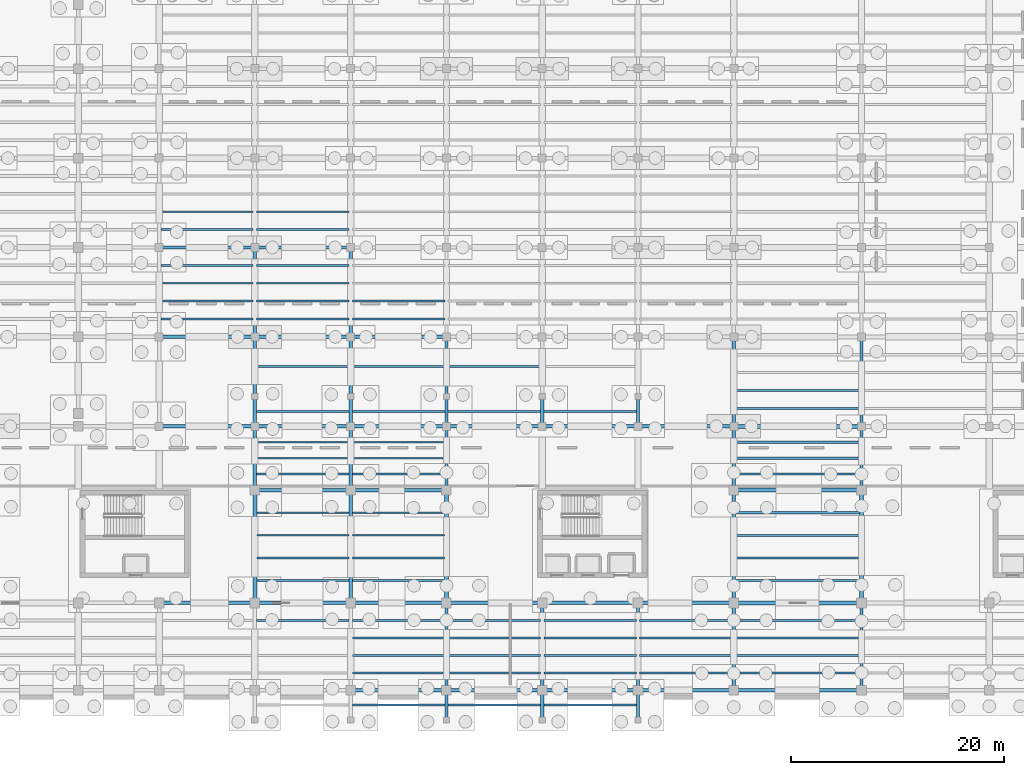
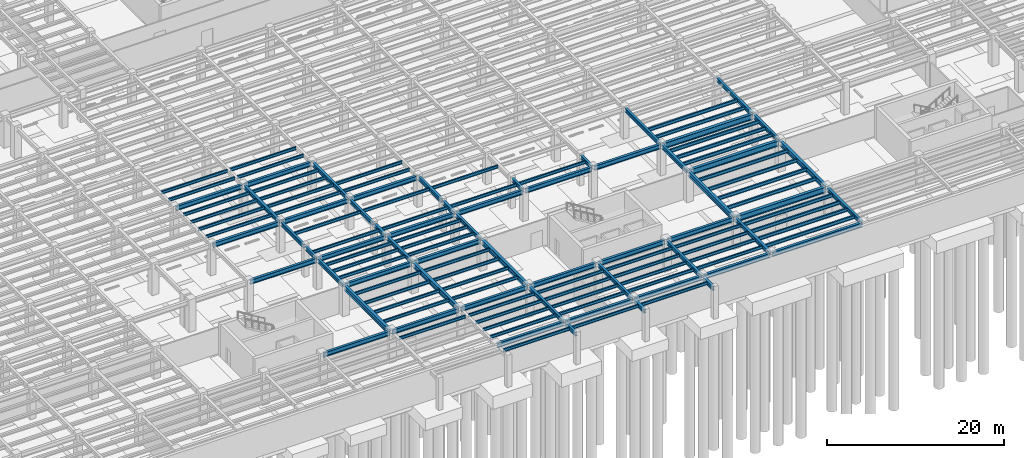
# One storey, part 21 of 49: 125 beams.
"""IFC4 building model written with IfcOpenShell, lengths in metres."""

from ifc_helpers import new_model, si_unit, direction, frame, origin, origin_2d, place, context, subcontext, project, spatial, i_section, extrude, material, material_profile, profile_set, type_object, element, save


model = new_model("IFC4")

# Units and contexts
model_context = context("Model", 3, precision=1e-05, world=origin(), true_north=direction((0.0, 1.0)))
body_context = subcontext(model_context, "Body", "Model", "MODEL_VIEW")
ifc_project = project(units=[si_unit("LENGTHUNIT", "METRE"), si_unit("AREAUNIT", "SQUARE_METRE"), si_unit("VOLUMEUNIT", "CUBIC_METRE"), si_unit("PLANEANGLEUNIT", "RADIAN"), si_unit("MASSUNIT", "GRAM", prefix="KILO")], contexts=[model_context])

# Site, building, storey
site_placement = place(None, origin())
site = spatial("IfcSite", under=ifc_project, at=site_placement, CompositionType="ELEMENT")
building_placement = place(site_placement, origin())
building = spatial("IfcBuilding", under=site, at=building_placement, Name="Sollismere Congress Hotel", CompositionType="ELEMENT")
storey_placement = place(building_placement, frame((0.0, 0.0, -4.5)))
storey = spatial("IfcBuildingStorey", under=building, at=storey_placement, Name="B1", CompositionType="ELEMENT", Elevation=-4.5)

# Beams
ifc_material = material(Name="Steel ASTM A992 Grade 50", Category="steel")
ifc_material_profile_1 = material_profile(ifc_material, i_section(OverallWidth=0.31494140625, OverallDepth=0.551025390625, WebThickness=0.01513671875, FlangeThickness=0.0244140625, at=origin_2d()), Name="W21X122")
ifc_profile_set_1 = profile_set([ifc_material_profile_1], Name="Steel ASTM A992 Grade 50")
beam_type_1 = type_object("IfcBeamType", Name="BM-G21H", PredefinedType="BEAM", material=ifc_profile_set_1)
beam_1_placement = place(storey_placement, frame((67.0, 18.93994140625, 3.924560546875), z_axis=(0.0, 1.0, 0.0), x_axis=(-1.0, 0.0, 0.0)))
element("IfcBeam", 1, at=beam_1_placement, inside=storey, type_object=beam_type_1, Name="Beam BM-B1-0333", PredefinedType="BEAM", context=body_context, shape_type="SweptSolid", body=[
    extrude(i_section(OverallWidth=0.31494140625, OverallDepth=0.551025390625, WebThickness=0.01513671875, FlangeThickness=0.0244140625, at=origin_2d()), origin(), (0.0, 0.0, 1.0), 5.719970703125),
])
beam_2_placement = place(storey_placement, frame((67.0, 24.93994140625, 3.924560546875), z_axis=(0.0, 1.0, 0.0), x_axis=(-1.0, 0.0, 0.0)))
element("IfcBeam", 2, at=beam_2_placement, inside=storey, type_object=beam_type_1, Name="Beam BM-B1-0334", PredefinedType="BEAM", context=body_context, shape_type="SweptSolid", body=[
    extrude(i_section(OverallWidth=0.31494140625, OverallDepth=0.551025390625, WebThickness=0.01513671875, FlangeThickness=0.0244140625, at=origin_2d()), origin(), (0.0, 0.0, 1.0), 2.52001953125),
])
beam_3_placement = place(storey_placement, frame((67.0, 27.739990234375, 3.924560546875), z_axis=(0.0, 1.0, 0.0), x_axis=(-1.0, 0.0, 0.0)))
element("IfcBeam", 3, at=beam_3_placement, inside=storey, type_object=beam_type_1, Name="Beam BM-B1-0335", PredefinedType="BEAM", context=body_context, shape_type="SweptSolid", body=[
    extrude(i_section(OverallWidth=0.31494140625, OverallDepth=0.551025390625, WebThickness=0.01513671875, FlangeThickness=0.0244140625, at=origin_2d()), origin(), (0.0, 0.0, 1.0), 5.320068359375),
])
beam_4_placement = place(storey_placement, frame((67.0, 33.340087890625, 3.924560546875), z_axis=(0.0, 1.0, 0.0), x_axis=(-1.0, 0.0, 0.0)))
element("IfcBeam", 4, at=beam_4_placement, inside=storey, type_object=beam_type_1, Name="Beam BM-B1-0336", PredefinedType="BEAM", context=body_context, shape_type="SweptSolid", body=[
    extrude(i_section(OverallWidth=0.31494140625, OverallDepth=0.551025390625, WebThickness=0.01513671875, FlangeThickness=0.0244140625, at=origin_2d()), origin(), (0.0, 0.0, 1.0), 8.119873046875),
])
beam_5_placement = place(storey_placement, frame((76.0, 18.93994140625, 3.924560546875), z_axis=(0.0, 1.0, 0.0), x_axis=(-1.0, 0.0, 0.0)))
element("IfcBeam", 5, at=beam_5_placement, inside=storey, type_object=beam_type_1, Name="Beam BM-B1-0348", PredefinedType="BEAM", context=body_context, shape_type="SweptSolid", body=[
    extrude(i_section(OverallWidth=0.31494140625, OverallDepth=0.551025390625, WebThickness=0.01513671875, FlangeThickness=0.0244140625, at=origin_2d()), origin(), (0.0, 0.0, 1.0), 5.719970703125),
])
beam_6_placement = place(storey_placement, frame((76.0, 24.93994140625, 3.924560546875), z_axis=(0.0, 1.0, 0.0), x_axis=(-1.0, 0.0, 0.0)))
element("IfcBeam", 6, at=beam_6_placement, inside=storey, type_object=beam_type_1, Name="Beam BM-B1-0349", PredefinedType="BEAM", context=body_context, shape_type="SweptSolid", body=[
    extrude(i_section(OverallWidth=0.31494140625, OverallDepth=0.551025390625, WebThickness=0.01513671875, FlangeThickness=0.0244140625, at=origin_2d()), origin(), (0.0, 0.0, 1.0), 2.52001953125),
])
beam_7_placement = place(storey_placement, frame((76.0, 27.739990234375, 3.924560546875), z_axis=(0.0, 1.0, 0.0), x_axis=(-1.0, 0.0, 0.0)))
element("IfcBeam", 7, at=beam_7_placement, inside=storey, type_object=beam_type_1, Name="Beam BM-B1-0350", PredefinedType="BEAM", context=body_context, shape_type="SweptSolid", body=[
    extrude(i_section(OverallWidth=0.31494140625, OverallDepth=0.551025390625, WebThickness=0.01513671875, FlangeThickness=0.0244140625, at=origin_2d()), origin(), (0.0, 0.0, 1.0), 5.320068359375),
])
beam_8_placement = place(storey_placement, frame((76.0, 33.340087890625, 3.924560546875), z_axis=(0.0, 1.0, 0.0), x_axis=(-1.0, 0.0, 0.0)))
element("IfcBeam", 8, at=beam_8_placement, inside=storey, type_object=beam_type_1, Name="Beam BM-B1-0351", PredefinedType="BEAM", context=body_context, shape_type="SweptSolid", body=[
    extrude(i_section(OverallWidth=0.31494140625, OverallDepth=0.551025390625, WebThickness=0.01513671875, FlangeThickness=0.0244140625, at=origin_2d()), origin(), (0.0, 0.0, 1.0), 8.119873046875),
])
beam_9_placement = place(storey_placement, frame((85.0, -2.659912109375, 3.924560546875), z_axis=(0.0, 1.0, 0.0), x_axis=(-1.0, 0.0, 0.0)))
element("IfcBeam", 9, at=beam_9_placement, inside=storey, type_object=beam_type_1, Name="Beam BM-B1-0357", PredefinedType="BEAM", context=body_context, shape_type="SweptSolid", body=[
    extrude(i_section(OverallWidth=0.31494140625, OverallDepth=0.551025390625, WebThickness=0.01513671875, FlangeThickness=0.0244140625, at=origin_2d()), origin(), (0.0, 0.0, 1.0), 2.52001953125),
])
beam_10_placement = place(storey_placement, frame((85.0, 0.139892578125, 3.924560546875), z_axis=(0.0, 1.0, 0.0), x_axis=(-1.0, 0.0, 0.0)))
element("IfcBeam", 10, at=beam_10_placement, inside=storey, type_object=beam_type_1, Name="Beam BM-B1-0358", PredefinedType="BEAM", context=body_context, shape_type="SweptSolid", body=[
    extrude(i_section(OverallWidth=0.31494140625, OverallDepth=0.551025390625, WebThickness=0.01513671875, FlangeThickness=0.0244140625, at=origin_2d()), origin(), (0.0, 0.0, 1.0), 7.920166015625),
])
beam_11_placement = place(storey_placement, frame((85.0, 18.93994140625, 3.924560546875), z_axis=(0.0, 1.0, 0.0), x_axis=(-1.0, 0.0, 0.0)))
element("IfcBeam", 11, at=beam_11_placement, inside=storey, type_object=beam_type_1, Name="Beam BM-B1-0360", PredefinedType="BEAM", context=body_context, shape_type="SweptSolid", body=[
    extrude(i_section(OverallWidth=0.31494140625, OverallDepth=0.551025390625, WebThickness=0.01513671875, FlangeThickness=0.0244140625, at=origin_2d()), origin(), (0.0, 0.0, 1.0), 5.719970703125),
])
beam_12_placement = place(storey_placement, frame((85.0, 24.93994140625, 3.924560546875), z_axis=(0.0, 1.0, 0.0), x_axis=(-1.0, 0.0, 0.0)))
element("IfcBeam", 12, at=beam_12_placement, inside=storey, type_object=beam_type_1, Name="Beam BM-B1-0361", PredefinedType="BEAM", context=body_context, shape_type="SweptSolid", body=[
    extrude(i_section(OverallWidth=0.31494140625, OverallDepth=0.551025390625, WebThickness=0.01513671875, FlangeThickness=0.0244140625, at=origin_2d()), origin(), (0.0, 0.0, 1.0), 2.52001953125),
])
beam_13_placement = place(storey_placement, frame((85.0, 27.739990234375, 3.924560546875), z_axis=(0.0, 1.0, 0.0), x_axis=(-1.0, 0.0, 0.0)))
element("IfcBeam", 13, at=beam_13_placement, inside=storey, type_object=beam_type_1, Name="Beam BM-B1-0362", PredefinedType="BEAM", context=body_context, shape_type="SweptSolid", body=[
    extrude(i_section(OverallWidth=0.31494140625, OverallDepth=0.551025390625, WebThickness=0.01513671875, FlangeThickness=0.0244140625, at=origin_2d()), origin(), (0.0, 0.0, 1.0), 5.320068359375),
])
beam_14_placement = place(storey_placement, frame((94.0, -2.659912109375, 3.924560546875), z_axis=(0.0, 1.0, 0.0), x_axis=(-1.0, 0.0, 0.0)))
element("IfcBeam", 14, at=beam_14_placement, inside=storey, type_object=beam_type_1, Name="Beam BM-B1-0369", PredefinedType="BEAM", context=body_context, shape_type="SweptSolid", body=[
    extrude(i_section(OverallWidth=0.31494140625, OverallDepth=0.551025390625, WebThickness=0.01513671875, FlangeThickness=0.0244140625, at=origin_2d()), origin(), (0.0, 0.0, 1.0), 2.52001953125),
])
beam_15_placement = place(storey_placement, frame((94.0, 0.139892578125, 3.924560546875), z_axis=(0.0, 1.0, 0.0), x_axis=(-1.0, 0.0, 0.0)))
element("IfcBeam", 15, at=beam_15_placement, inside=storey, type_object=beam_type_1, Name="Beam BM-B1-0370", PredefinedType="BEAM", context=body_context, shape_type="SweptSolid", body=[
    extrude(i_section(OverallWidth=0.31494140625, OverallDepth=0.551025390625, WebThickness=0.01513671875, FlangeThickness=0.0244140625, at=origin_2d()), origin(), (0.0, 0.0, 1.0), 7.920166015625),
])
for number, where, z_axis, x_axis, name in (
    (16, (94.0, 24.93994140625, 3.924560546875), (0.0, 1.0, 0.0), (-1.0, 0.0, 0.0), "Beam BM-B1-0371"),
    (17, (103.0, -2.659912109375, 3.924560546875), (0.0, 1.0, 0.0), (-1.0, 0.0, 0.0), "Beam BM-B1-0382"),
):
    element("IfcBeam", number, at=place(storey_placement, frame(where, z_axis=z_axis, x_axis=x_axis)), inside=storey, type_object=beam_type_1, Name=name, PredefinedType="BEAM", context=body_context, shape_type="SweptSolid", body=[
        extrude(i_section(OverallWidth=0.31494140625, OverallDepth=0.551025390625, WebThickness=0.01513671875, FlangeThickness=0.0244140625, at=origin_2d()), origin(), (0.0, 0.0, 1.0), 2.52001953125),
    ])
beam_16_placement = place(storey_placement, frame((103.0, 0.139892578125, 3.924560546875), z_axis=(0.0, 1.0, 0.0), x_axis=(-1.0, 0.0, 0.0)))
element("IfcBeam", 18, at=beam_16_placement, inside=storey, type_object=beam_type_1, Name="Beam BM-B1-0383", PredefinedType="BEAM", context=body_context, shape_type="SweptSolid", body=[
    extrude(i_section(OverallWidth=0.31494140625, OverallDepth=0.551025390625, WebThickness=0.01513671875, FlangeThickness=0.0244140625, at=origin_2d()), origin(), (0.0, 0.0, 1.0), 7.920166015625),
])
beam_17_placement = place(storey_placement, frame((103.0, 24.93994140625, 3.924560546875), z_axis=(0.0, 1.0, 0.0), x_axis=(-1.0, 0.0, 0.0)))
element("IfcBeam", 19, at=beam_17_placement, inside=storey, type_object=beam_type_1, Name="Beam BM-B1-0384", PredefinedType="BEAM", context=body_context, shape_type="SweptSolid", body=[
    extrude(i_section(OverallWidth=0.31494140625, OverallDepth=0.551025390625, WebThickness=0.01513671875, FlangeThickness=0.0244140625, at=origin_2d()), origin(), (0.0, 0.0, 1.0), 2.52001953125),
])
beam_18_placement = place(storey_placement, frame((112.0, 0.139892578125, 3.924560546875), z_axis=(0.0, 1.0, 0.0), x_axis=(-1.0, 0.0, 0.0)))
element("IfcBeam", 20, at=beam_18_placement, inside=storey, type_object=beam_type_1, Name="Beam BM-B1-0395", PredefinedType="BEAM", context=body_context, shape_type="SweptSolid", body=[
    extrude(i_section(OverallWidth=0.31494140625, OverallDepth=0.551025390625, WebThickness=0.01513671875, FlangeThickness=0.0244140625, at=origin_2d()), origin(), (0.0, 0.0, 1.0), 7.920166015625),
])
beam_19_placement = place(storey_placement, frame((112.0, 18.93994140625, 3.924560546875), z_axis=(0.0, 1.0, 0.0), x_axis=(-1.0, 0.0, 0.0)))
element("IfcBeam", 21, at=beam_19_placement, inside=storey, type_object=beam_type_1, Name="Beam BM-B1-0397", PredefinedType="BEAM", context=body_context, shape_type="SweptSolid", body=[
    extrude(i_section(OverallWidth=0.31494140625, OverallDepth=0.551025390625, WebThickness=0.01513671875, FlangeThickness=0.0244140625, at=origin_2d()), origin(), (0.0, 0.0, 1.0), 5.719970703125),
])
beam_20_placement = place(storey_placement, frame((112.0, 24.93994140625, 3.924560546875), z_axis=(0.0, 1.0, 0.0), x_axis=(-1.0, 0.0, 0.0)))
element("IfcBeam", 22, at=beam_20_placement, inside=storey, type_object=beam_type_1, Name="Beam BM-B1-0398", PredefinedType="BEAM", context=body_context, shape_type="SweptSolid", body=[
    extrude(i_section(OverallWidth=0.31494140625, OverallDepth=0.551025390625, WebThickness=0.01513671875, FlangeThickness=0.0244140625, at=origin_2d()), origin(), (0.0, 0.0, 1.0), 8.1201171875),
])
beam_21_placement = place(storey_placement, frame((124.0, 0.139892578125, 3.924560546875), z_axis=(0.0, 1.0, 0.0), x_axis=(-1.0, 0.0, 0.0)))
element("IfcBeam", 23, at=beam_21_placement, inside=storey, type_object=beam_type_1, Name="Beam BM-B1-0408", PredefinedType="BEAM", context=body_context, shape_type="SweptSolid", body=[
    extrude(i_section(OverallWidth=0.31494140625, OverallDepth=0.551025390625, WebThickness=0.01513671875, FlangeThickness=0.0244140625, at=origin_2d()), origin(), (0.0, 0.0, 1.0), 7.920166015625),
])
beam_22_placement = place(storey_placement, frame((124.0, 18.93994140625, 3.924560546875), z_axis=(0.0, 1.0, 0.0), x_axis=(-1.0, 0.0, 0.0)))
element("IfcBeam", 24, at=beam_22_placement, inside=storey, type_object=beam_type_1, Name="Beam BM-B1-0410", PredefinedType="BEAM", context=body_context, shape_type="SweptSolid", body=[
    extrude(i_section(OverallWidth=0.31494140625, OverallDepth=0.551025390625, WebThickness=0.01513671875, FlangeThickness=0.0244140625, at=origin_2d()), origin(), (0.0, 0.0, 1.0), 5.719970703125),
])
beam_23_placement = place(storey_placement, frame((124.0, 24.93994140625, 3.924560546875), z_axis=(0.0, 1.0, 0.0), x_axis=(-1.0, 0.0, 0.0)))
element("IfcBeam", 25, at=beam_23_placement, inside=storey, type_object=beam_type_1, Name="Beam BM-B1-0411", PredefinedType="BEAM", context=body_context, shape_type="SweptSolid", body=[
    extrude(i_section(OverallWidth=0.31494140625, OverallDepth=0.551025390625, WebThickness=0.01513671875, FlangeThickness=0.0244140625, at=origin_2d()), origin(), (0.0, 0.0, 1.0), 8.1201171875),
])
ifc_material_profile_2 = material_profile(ifc_material, i_section(OverallWidth=0.324951171875, OverallDepth=0.612060546875, WebThickness=0.0126953125, FlangeThickness=0.01904296875, at=origin_2d()), Name="W24X104")
ifc_profile_set_2 = profile_set([ifc_material_profile_2], Name="Steel ASTM A992 Grade 50")
beam_type_2 = type_object("IfcBeamType", Name="BM-G24", PredefinedType="BEAM", material=ifc_profile_set_2)
for number, where, z_axis, x_axis, name in (
    (26, (58.139892578125, 8.199951171875, 3.89404296875), (1.0, 0.0, 0.0), (0.0, 1.0, 0.0), "Beam BM-B1-0026"),
    (27, (67.139892578125, 8.199951171875, 3.89404296875), (1.0, 0.0, 0.0), (0.0, 1.0, 0.0), "Beam BM-B1-0027"),
    (28, (76.139892578125, 8.199951171875, 3.89404296875), (1.0, 0.0, 0.0), (0.0, 1.0, 0.0), "Beam BM-B1-0028"),
    (29, (85.139892578125, 8.199951171875, 3.89404296875), (1.0, 0.0, 0.0), (0.0, 1.0, 0.0), "Beam BM-B1-0029"),
    (30, (94.139892578125, 8.199951171875, 3.89404296875), (1.0, 0.0, 0.0), (0.0, 1.0, 0.0), "Beam BM-B1-0030"),
    (31, (103.139892578125, 8.199951171875, 3.89404296875), (1.0, 0.0, 0.0), (0.0, 1.0, 0.0), "Beam BM-B1-0031"),
    (32, (67.139892578125, 18.800048828125, 3.89404296875), (1.0, 0.0, 0.0), (0.0, 1.0, 0.0), "Beam BM-B1-0042"),
    (33, (76.139892578125, 18.800048828125, 3.89404296875), (1.0, 0.0, 0.0), (0.0, 1.0, 0.0), "Beam BM-B1-0043"),
    (34, (58.139892578125, 24.800048828125, 3.89404296875), (1.0, 0.0, 0.0), (0.0, 1.0, 0.0), "Beam BM-B1-0053"),
    (35, (67.139892578125, 24.800048828125, 3.89404296875), (1.0, 0.0, 0.0), (0.0, 1.0, 0.0), "Beam BM-B1-0054"),
    (36, (76.139892578125, 24.800048828125, 3.89404296875), (1.0, 0.0, 0.0), (0.0, 1.0, 0.0), "Beam BM-B1-0055"),
    (37, (85.139892578125, 24.800048828125, 3.89404296875), (1.0, 0.0, 0.0), (0.0, 1.0, 0.0), "Beam BM-B1-0056"),
    (38, (94.139892578125, 24.800048828125, 3.89404296875), (1.0, 0.0, 0.0), (0.0, 1.0, 0.0), "Beam BM-B1-0057"),
    (39, (103.139892578125, 24.800048828125, 3.89404296875), (1.0, 0.0, 0.0), (0.0, 1.0, 0.0), "Beam BM-B1-0058"),
    (40, (58.139892578125, 33.199951171875, 3.89404296875), (1.0, 0.0, 0.0), (0.0, 1.0, 0.0), "Beam BM-B1-0071"),
    (41, (67.139892578125, 33.199951171875, 3.89404296875), (1.0, 0.0, 0.0), (0.0, 1.0, 0.0), "Beam BM-B1-0072"),
    (42, (76.139892578125, 33.199951171875, 3.89404296875), (1.0, 0.0, 0.0), (0.0, 1.0, 0.0), "Beam BM-B1-0073"),
    (43, (58.139892578125, 41.60009765625, 3.89404296875), (1.0, 0.0, 0.0), (0.0, 1.0, 0.0), "Beam BM-B1-0089"),
    (44, (67.139892578125, 41.60009765625, 3.89404296875), (1.0, 0.0, 0.0), (0.0, 1.0, 0.0), "Beam BM-B1-0090"),
):
    element("IfcBeam", number, at=place(storey_placement, frame(where, z_axis=z_axis, x_axis=x_axis)), inside=storey, type_object=beam_type_2, Name=name, PredefinedType="BEAM", context=body_context, shape_type="SweptSolid", body=[
        extrude(i_section(OverallWidth=0.324951171875, OverallDepth=0.612060546875, WebThickness=0.0126953125, FlangeThickness=0.01904296875, at=origin_2d()), origin(), (0.0, 0.0, 1.0), 8.72021484375),
    ])
ifc_material_profile_3 = material_profile(ifc_material, i_section(OverallWidth=0.35595703125, OverallDepth=0.696044921875, WebThickness=0.015380859375, FlangeThickness=0.025146484375, at=origin_2d()), Name="W27X146")
ifc_profile_set_3 = profile_set([ifc_material_profile_3], Name="Steel ASTM A992 Grade 50")
beam_type_3 = type_object("IfcBeamType", Name="BM-G27", PredefinedType="BEAM", material=ifc_profile_set_3)
for number, where, z_axis, x_axis, name in (
    (45, (67.0, 8.340087890625, 3.85205078125), (0.0, 1.0, 0.0), (-1.0, 0.0, 0.0), "Beam BM-B1-0332"),
    (46, (76.0, 8.340087890625, 3.85205078125), (0.0, 1.0, 0.0), (-1.0, 0.0, 0.0), "Beam BM-B1-0347"),
    (47, (85.0, 8.340087890625, 3.85205078125), (0.0, 1.0, 0.0), (-1.0, 0.0, 0.0), "Beam BM-B1-0359"),
    (48, (112.0, 8.340087890625, 3.85205078125), (0.0, 1.0, 0.0), (-1.0, 0.0, 0.0), "Beam BM-B1-0396"),
    (49, (124.0, 8.340087890625, 3.85205078125), (0.0, 1.0, 0.0), (-1.0, 0.0, 0.0), "Beam BM-B1-0409"),
):
    element("IfcBeam", number, at=place(storey_placement, frame(where, z_axis=z_axis, x_axis=x_axis)), inside=storey, type_object=beam_type_3, Name=name, PredefinedType="BEAM", context=body_context, shape_type="SweptSolid", body=[
        extrude(i_section(OverallWidth=0.35595703125, OverallDepth=0.696044921875, WebThickness=0.015380859375, FlangeThickness=0.025146484375, at=origin_2d()), origin(), (0.0, 0.0, 1.0), 10.31982421875),
    ])
ifc_material_profile_4 = material_profile(ifc_material, i_section(OverallWidth=0.384033203125, OverallDepth=0.787109375, WebThickness=0.019775390625, FlangeThickness=0.033447265625, at=origin_2d()), Name="W30X211")
ifc_profile_set_4 = profile_set([ifc_material_profile_4], Name="Steel ASTM A992 Grade 50")
beam_type_4 = type_object("IfcBeamType", Name="BM-G30", PredefinedType="BEAM", material=ifc_profile_set_4)
for number, where, z_axis, x_axis, name in (
    (50, (112.139892578125, 8.199951171875, 3.806396484375), (1.0, 0.0, 0.0), (0.0, 1.0, 0.0), "Beam BM-B1-0032"),
    (51, (112.139892578125, 18.800048828125, 3.806396484375), (1.0, 0.0, 0.0), (0.0, 1.0, 0.0), "Beam BM-B1-0044"),
    (52, (112.139892578125, 24.800048828125, 3.806396484375), (1.0, 0.0, 0.0), (0.0, 1.0, 0.0), "Beam BM-B1-0059"),
):
    element("IfcBeam", number, at=place(storey_placement, frame(where, z_axis=z_axis, x_axis=x_axis)), inside=storey, type_object=beam_type_4, Name=name, PredefinedType="BEAM", context=body_context, shape_type="SweptSolid", body=[
        extrude(i_section(OverallWidth=0.384033203125, OverallDepth=0.787109375, WebThickness=0.019775390625, FlangeThickness=0.033447265625, at=origin_2d()), origin(), (0.0, 0.0, 1.0), 11.72021484375),
    ])
ifc_material_profile_5 = material_profile(ifc_material, i_section(OverallWidth=0.180908203125, OverallDepth=0.4169921875, WebThickness=0.010986328125, FlangeThickness=0.018310546875, at=origin_2d()), Name="W16X57")
ifc_profile_set_5 = profile_set([ifc_material_profile_5], Name="Steel ASTM A992 Grade 50")
beam_type_5 = type_object("IfcBeamType", Name="BM-J16", PredefinedType="JOIST", material=ifc_profile_set_5)
for number, where, z_axis, x_axis, name in (
    (53, (58.157470703125, 34.8798828125, 3.991455078125), (1.0, 0.0, 0.0), (0.0, 1.0, 0.0), "Beam BM-B1-0715"),
    (54, (58.157470703125, 36.56005859375, 3.991455078125), (1.0, 0.0, 0.0), (0.0, 1.0, 0.0), "Beam BM-B1-0716"),
    (55, (58.157470703125, 38.239990234375, 3.991455078125), (1.0, 0.0, 0.0), (0.0, 1.0, 0.0), "Beam BM-B1-0717"),
    (56, (58.157470703125, 39.919921875, 3.991455078125), (1.0, 0.0, 0.0), (0.0, 1.0, 0.0), "Beam BM-B1-0718"),
    (57, (58.157470703125, 43.280029296875, 3.991455078125), (1.0, 0.0, 0.0), (0.0, 1.0, 0.0), "Beam BM-B1-0719"),
    (58, (58.157470703125, 44.9599609375, 3.991455078125), (1.0, 0.0, 0.0), (0.0, 1.0, 0.0), "Beam BM-B1-0720"),
    (59, (67.157470703125, 6.56005859375, 3.991455078125), (1.0, 0.0, 0.0), (0.0, 1.0, 0.0), "Beam BM-B1-0766"),
):
    element("IfcBeam", number, at=place(storey_placement, frame(where, z_axis=z_axis, x_axis=x_axis)), inside=storey, type_object=beam_type_5, Name=name, PredefinedType="JOIST", context=body_context, shape_type="SweptSolid", body=[
        extrude(i_section(OverallWidth=0.180908203125, OverallDepth=0.4169921875, WebThickness=0.010986328125, FlangeThickness=0.018310546875, at=origin_2d()), origin(), (0.0, 0.0, 1.0), 8.68505859375),
    ])
for number, where, z_axis, x_axis, name in (
    (60, (67.177978515625, 10.320068359375, 3.991455078125), (1.0, 0.0, 0.0), (0.0, 1.0, 0.0), "Beam BM-B1-0767"),
    (61, (67.177978515625, 12.43994140625, 3.991455078125), (1.0, 0.0, 0.0), (0.0, 1.0, 0.0), "Beam BM-B1-0768"),
    (62, (67.177978515625, 14.56005859375, 3.991455078125), (1.0, 0.0, 0.0), (0.0, 1.0, 0.0), "Beam BM-B1-0769"),
    (63, (67.177978515625, 16.679931640625, 3.991455078125), (1.0, 0.0, 0.0), (0.0, 1.0, 0.0), "Beam BM-B1-0770"),
):
    element("IfcBeam", number, at=place(storey_placement, frame(where, z_axis=z_axis, x_axis=x_axis)), inside=storey, type_object=beam_type_5, Name=name, PredefinedType="JOIST", context=body_context, shape_type="SweptSolid", body=[
        extrude(i_section(OverallWidth=0.180908203125, OverallDepth=0.4169921875, WebThickness=0.010986328125, FlangeThickness=0.018310546875, at=origin_2d()), origin(), (0.0, 0.0, 1.0), 8.64404296875),
    ])
for number, where, z_axis, x_axis, name in (
    (64, (67.157470703125, 20.300048828125, 3.991455078125), (1.0, 0.0, 0.0), (0.0, 1.0, 0.0), "Beam BM-B1-0771"),
    (65, (67.157470703125, 21.800048828125, 3.991455078125), (1.0, 0.0, 0.0), (0.0, 1.0, 0.0), "Beam BM-B1-0772"),
    (66, (67.157470703125, 23.300048828125, 3.991455078125), (1.0, 0.0, 0.0), (0.0, 1.0, 0.0), "Beam BM-B1-0773"),
    (67, (67.157470703125, 26.199951171875, 3.991455078125), (1.0, 0.0, 0.0), (0.0, 1.0, 0.0), "Beam BM-B1-0774"),
    (68, (67.157470703125, 30.39990234375, 3.991455078125), (1.0, 0.0, 0.0), (0.0, 1.0, 0.0), "Beam BM-B1-0775"),
    (69, (67.157470703125, 34.8798828125, 3.991455078125), (1.0, 0.0, 0.0), (0.0, 1.0, 0.0), "Beam BM-B1-0776"),
    (70, (67.157470703125, 36.56005859375, 3.991455078125), (1.0, 0.0, 0.0), (0.0, 1.0, 0.0), "Beam BM-B1-0777"),
    (71, (67.157470703125, 38.239990234375, 3.991455078125), (1.0, 0.0, 0.0), (0.0, 1.0, 0.0), "Beam BM-B1-0778"),
    (72, (67.157470703125, 39.919921875, 3.991455078125), (1.0, 0.0, 0.0), (0.0, 1.0, 0.0), "Beam BM-B1-0779"),
    (73, (67.157470703125, 43.280029296875, 3.991455078125), (1.0, 0.0, 0.0), (0.0, 1.0, 0.0), "Beam BM-B1-0780"),
    (74, (67.157470703125, 44.9599609375, 3.991455078125), (1.0, 0.0, 0.0), (0.0, 1.0, 0.0), "Beam BM-B1-0781"),
    (75, (76.157470703125, -1.39990234375, 3.991455078125), (1.0, 0.0, 0.0), (0.0, 1.0, 0.0), "Beam BM-B1-0799"),
    (76, (76.157470703125, 1.639892578125, 3.991455078125), (1.0, 0.0, 0.0), (0.0, 1.0, 0.0), "Beam BM-B1-0800"),
    (77, (76.157470703125, 3.280029296875, 3.991455078125), (1.0, 0.0, 0.0), (0.0, 1.0, 0.0), "Beam BM-B1-0801"),
    (78, (76.157470703125, 4.919921875, 3.991455078125), (1.0, 0.0, 0.0), (0.0, 1.0, 0.0), "Beam BM-B1-0802"),
    (79, (76.157470703125, 6.56005859375, 3.991455078125), (1.0, 0.0, 0.0), (0.0, 1.0, 0.0), "Beam BM-B1-0803"),
):
    element("IfcBeam", number, at=place(storey_placement, frame(where, z_axis=z_axis, x_axis=x_axis)), inside=storey, type_object=beam_type_5, Name=name, PredefinedType="JOIST", context=body_context, shape_type="SweptSolid", body=[
        extrude(i_section(OverallWidth=0.180908203125, OverallDepth=0.4169921875, WebThickness=0.010986328125, FlangeThickness=0.018310546875, at=origin_2d()), origin(), (0.0, 0.0, 1.0), 8.68505859375),
    ])
for number, where, z_axis, x_axis, name in (
    (80, (76.177978515625, 10.320068359375, 3.991455078125), (1.0, 0.0, 0.0), (0.0, 1.0, 0.0), "Beam BM-B1-0804"),
    (81, (76.177978515625, 12.43994140625, 3.991455078125), (1.0, 0.0, 0.0), (0.0, 1.0, 0.0), "Beam BM-B1-0805"),
    (82, (76.177978515625, 14.56005859375, 3.991455078125), (1.0, 0.0, 0.0), (0.0, 1.0, 0.0), "Beam BM-B1-0806"),
    (83, (76.177978515625, 16.679931640625, 3.991455078125), (1.0, 0.0, 0.0), (0.0, 1.0, 0.0), "Beam BM-B1-0807"),
):
    element("IfcBeam", number, at=place(storey_placement, frame(where, z_axis=z_axis, x_axis=x_axis)), inside=storey, type_object=beam_type_5, Name=name, PredefinedType="JOIST", context=body_context, shape_type="SweptSolid", body=[
        extrude(i_section(OverallWidth=0.180908203125, OverallDepth=0.4169921875, WebThickness=0.010986328125, FlangeThickness=0.018310546875, at=origin_2d()), origin(), (0.0, 0.0, 1.0), 8.64404296875),
    ])
for number, where, z_axis, x_axis, name in (
    (84, (76.157470703125, 20.300048828125, 3.991455078125), (1.0, 0.0, 0.0), (0.0, 1.0, 0.0), "Beam BM-B1-0808"),
    (85, (76.157470703125, 21.800048828125, 3.991455078125), (1.0, 0.0, 0.0), (0.0, 1.0, 0.0), "Beam BM-B1-0809"),
    (86, (76.157470703125, 23.300048828125, 3.991455078125), (1.0, 0.0, 0.0), (0.0, 1.0, 0.0), "Beam BM-B1-0810"),
    (87, (76.157470703125, 26.199951171875, 3.991455078125), (1.0, 0.0, 0.0), (0.0, 1.0, 0.0), "Beam BM-B1-0811"),
    (88, (76.157470703125, 30.39990234375, 3.991455078125), (1.0, 0.0, 0.0), (0.0, 1.0, 0.0), "Beam BM-B1-0812"),
    (89, (76.157470703125, 34.8798828125, 3.991455078125), (1.0, 0.0, 0.0), (0.0, 1.0, 0.0), "Beam BM-B1-0813"),
    (90, (76.157470703125, 36.56005859375, 3.991455078125), (1.0, 0.0, 0.0), (0.0, 1.0, 0.0), "Beam BM-B1-0814"),
    (91, (85.157470703125, -1.39990234375, 3.991455078125), (1.0, 0.0, 0.0), (0.0, 1.0, 0.0), "Beam BM-B1-0836"),
    (92, (85.157470703125, 1.639892578125, 3.991455078125), (1.0, 0.0, 0.0), (0.0, 1.0, 0.0), "Beam BM-B1-0837"),
    (93, (85.157470703125, 3.280029296875, 3.991455078125), (1.0, 0.0, 0.0), (0.0, 1.0, 0.0), "Beam BM-B1-0838"),
    (94, (85.157470703125, 4.919921875, 3.991455078125), (1.0, 0.0, 0.0), (0.0, 1.0, 0.0), "Beam BM-B1-0839"),
    (95, (85.157470703125, 6.56005859375, 3.991455078125), (1.0, 0.0, 0.0), (0.0, 1.0, 0.0), "Beam BM-B1-0840"),
    (96, (85.157470703125, 26.199951171875, 3.991455078125), (1.0, 0.0, 0.0), (0.0, 1.0, 0.0), "Beam BM-B1-0841"),
    (97, (85.157470703125, 30.39990234375, 3.991455078125), (1.0, 0.0, 0.0), (0.0, 1.0, 0.0), "Beam BM-B1-0842"),
    (98, (94.157470703125, -1.39990234375, 3.991455078125), (1.0, 0.0, 0.0), (0.0, 1.0, 0.0), "Beam BM-B1-0866"),
    (99, (94.157470703125, 1.639892578125, 3.991455078125), (1.0, 0.0, 0.0), (0.0, 1.0, 0.0), "Beam BM-B1-0867"),
    (100, (94.157470703125, 3.280029296875, 3.991455078125), (1.0, 0.0, 0.0), (0.0, 1.0, 0.0), "Beam BM-B1-0868"),
    (101, (94.157470703125, 4.919921875, 3.991455078125), (1.0, 0.0, 0.0), (0.0, 1.0, 0.0), "Beam BM-B1-0869"),
    (102, (94.157470703125, 6.56005859375, 3.991455078125), (1.0, 0.0, 0.0), (0.0, 1.0, 0.0), "Beam BM-B1-0870"),
    (103, (94.157470703125, 26.199951171875, 3.991455078125), (1.0, 0.0, 0.0), (0.0, 1.0, 0.0), "Beam BM-B1-0871"),
    (104, (103.157470703125, 1.639892578125, 3.991455078125), (1.0, 0.0, 0.0), (0.0, 1.0, 0.0), "Beam BM-B1-0908"),
    (105, (103.157470703125, 3.280029296875, 3.991455078125), (1.0, 0.0, 0.0), (0.0, 1.0, 0.0), "Beam BM-B1-0909"),
    (106, (103.157470703125, 4.919921875, 3.991455078125), (1.0, 0.0, 0.0), (0.0, 1.0, 0.0), "Beam BM-B1-0910"),
    (107, (103.157470703125, 6.56005859375, 3.991455078125), (1.0, 0.0, 0.0), (0.0, 1.0, 0.0), "Beam BM-B1-0911"),
):
    element("IfcBeam", number, at=place(storey_placement, frame(where, z_axis=z_axis, x_axis=x_axis)), inside=storey, type_object=beam_type_5, Name=name, PredefinedType="JOIST", context=body_context, shape_type="SweptSolid", body=[
        extrude(i_section(OverallWidth=0.180908203125, OverallDepth=0.4169921875, WebThickness=0.010986328125, FlangeThickness=0.018310546875, at=origin_2d()), origin(), (0.0, 0.0, 1.0), 8.68505859375),
    ])
ifc_material_profile_6 = material_profile(ifc_material, i_section(OverallWidth=0.193115234375, OverallDepth=0.467041015625, WebThickness=0.011474609375, FlangeThickness=0.01904296875, at=origin_2d()), Name="W18X65")
ifc_profile_set_6 = profile_set([ifc_material_profile_6], Name="Steel ASTM A992 Grade 50")
beam_type_6 = type_object("IfcBeamType", Name="BM-J18", PredefinedType="JOIST", material=ifc_profile_set_6)
for number, where, z_axis, x_axis, name in (
    (108, (112.157470703125, 1.639892578125, 3.966552734375), (1.0, 0.0, 0.0), (0.0, 1.0, 0.0), "Beam BM-B1-0947"),
    (109, (112.157470703125, 3.280029296875, 3.966552734375), (1.0, 0.0, 0.0), (0.0, 1.0, 0.0), "Beam BM-B1-0948"),
    (110, (112.157470703125, 4.919921875, 3.966552734375), (1.0, 0.0, 0.0), (0.0, 1.0, 0.0), "Beam BM-B1-0949"),
    (111, (112.157470703125, 6.56005859375, 3.966552734375), (1.0, 0.0, 0.0), (0.0, 1.0, 0.0), "Beam BM-B1-0950"),
):
    element("IfcBeam", number, at=place(storey_placement, frame(where, z_axis=z_axis, x_axis=x_axis)), inside=storey, type_object=beam_type_6, Name=name, PredefinedType="JOIST", context=body_context, shape_type="SweptSolid", body=[
        extrude(i_section(OverallWidth=0.193115234375, OverallDepth=0.467041015625, WebThickness=0.011474609375, FlangeThickness=0.01904296875, at=origin_2d()), origin(), (0.0, 0.0, 1.0), 11.68505859375),
    ])
for number, where, z_axis, x_axis, name in (
    (112, (112.177978515625, 10.320068359375, 3.966552734375), (1.0, 0.0, 0.0), (0.0, 1.0, 0.0), "Beam BM-B1-0951"),
    (113, (112.177978515625, 12.43994140625, 3.966552734375), (1.0, 0.0, 0.0), (0.0, 1.0, 0.0), "Beam BM-B1-0952"),
    (114, (112.177978515625, 14.56005859375, 3.966552734375), (1.0, 0.0, 0.0), (0.0, 1.0, 0.0), "Beam BM-B1-0953"),
    (115, (112.177978515625, 16.679931640625, 3.966552734375), (1.0, 0.0, 0.0), (0.0, 1.0, 0.0), "Beam BM-B1-0954"),
):
    element("IfcBeam", number, at=place(storey_placement, frame(where, z_axis=z_axis, x_axis=x_axis)), inside=storey, type_object=beam_type_6, Name=name, PredefinedType="JOIST", context=body_context, shape_type="SweptSolid", body=[
        extrude(i_section(OverallWidth=0.193115234375, OverallDepth=0.467041015625, WebThickness=0.011474609375, FlangeThickness=0.01904296875, at=origin_2d()), origin(), (0.0, 0.0, 1.0), 11.64404296875),
    ])
for number, where, z_axis, x_axis, name in (
    (116, (112.157470703125, 20.300048828125, 3.966552734375), (1.0, 0.0, 0.0), (0.0, 1.0, 0.0), "Beam BM-B1-0955"),
    (117, (112.157470703125, 21.800048828125, 3.966552734375), (1.0, 0.0, 0.0), (0.0, 1.0, 0.0), "Beam BM-B1-0956"),
    (118, (112.157470703125, 23.300048828125, 3.966552734375), (1.0, 0.0, 0.0), (0.0, 1.0, 0.0), "Beam BM-B1-0957"),
    (119, (112.157470703125, 26.47998046875, 3.966552734375), (1.0, 0.0, 0.0), (0.0, 1.0, 0.0), "Beam BM-B1-0958"),
    (120, (112.157470703125, 28.159912109375, 3.966552734375), (1.0, 0.0, 0.0), (0.0, 1.0, 0.0), "Beam BM-B1-0959"),
):
    element("IfcBeam", number, at=place(storey_placement, frame(where, z_axis=z_axis, x_axis=x_axis)), inside=storey, type_object=beam_type_6, Name=name, PredefinedType="JOIST", context=body_context, shape_type="SweptSolid", body=[
        extrude(i_section(OverallWidth=0.193115234375, OverallDepth=0.467041015625, WebThickness=0.011474609375, FlangeThickness=0.01904296875, at=origin_2d()), origin(), (0.0, 0.0, 1.0), 11.68505859375),
    ])
ifc_material_profile_7 = material_profile(ifc_material, i_section(OverallWidth=0.330078125, OverallDepth=0.635009765625, WebThickness=0.017822265625, FlangeThickness=0.031005859375, at=origin_2d()), Name="W24X162")
ifc_profile_set_7 = profile_set([ifc_material_profile_7], Name="Steel ASTM A992 Grade 50")
beam_type_7 = type_object("IfcBeamType", Name="BM-SP24E", PredefinedType="SPANDREL", material=ifc_profile_set_7)
for number, where, z_axis, x_axis, name in (
    (121, (76.139892578125, 0.0, 3.882568359375), (1.0, 0.0, 0.0), (0.0, 1.0, 0.0), "Beam BM-B1-0010"),
    (122, (85.139892578125, 0.0, 3.882568359375), (1.0, 0.0, 0.0), (0.0, 1.0, 0.0), "Beam BM-B1-0011"),
    (123, (94.139892578125, 0.0, 3.882568359375), (1.0, 0.0, 0.0), (0.0, 1.0, 0.0), "Beam BM-B1-0012"),
    (124, (103.139892578125, 0.0, 3.882568359375), (1.0, 0.0, 0.0), (0.0, 1.0, 0.0), "Beam BM-B1-0013"),
):
    element("IfcBeam", number, at=place(storey_placement, frame(where, z_axis=z_axis, x_axis=x_axis)), inside=storey, type_object=beam_type_7, Name=name, PredefinedType="SPANDREL", context=body_context, shape_type="SweptSolid", body=[
        extrude(i_section(OverallWidth=0.330078125, OverallDepth=0.635009765625, WebThickness=0.017822265625, FlangeThickness=0.031005859375, at=origin_2d()), origin(), (0.0, 0.0, 1.0), 8.72021484375),
    ])
beam_24_placement = place(storey_placement, frame((112.139892578125, 0.0, 3.882568359375), z_axis=(1.0, 0.0, 0.0), x_axis=(0.0, 1.0, 0.0)))
element("IfcBeam", 125, at=beam_24_placement, inside=storey, type_object=beam_type_7, Name="Beam BM-B1-0014", PredefinedType="SPANDREL", context=body_context, shape_type="SweptSolid", body=[
    extrude(i_section(OverallWidth=0.330078125, OverallDepth=0.635009765625, WebThickness=0.017822265625, FlangeThickness=0.031005859375, at=origin_2d()), origin(), (0.0, 0.0, 1.0), 11.72021484375),
])

save(model, "model.ifc")
